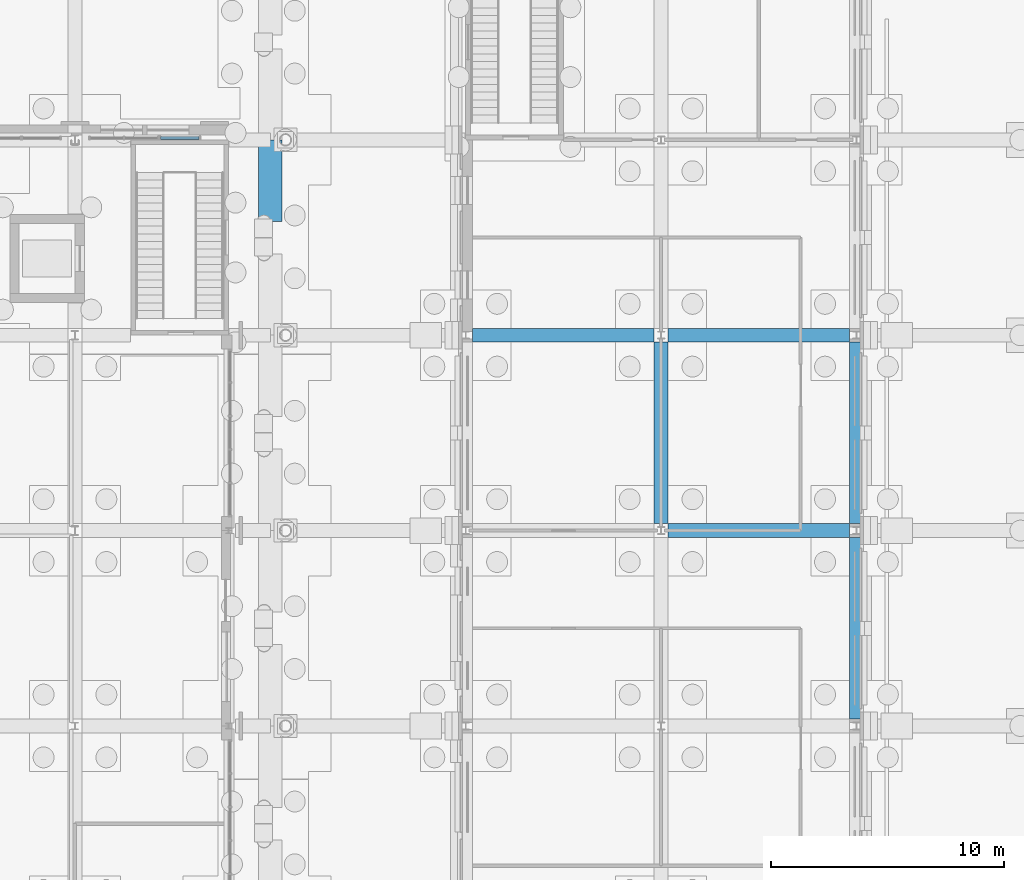
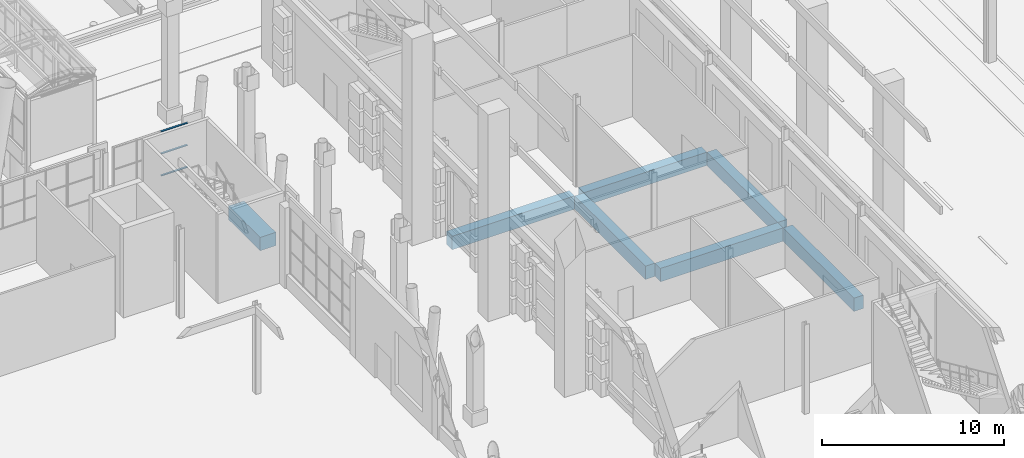
# One storey, part 58 of 222: 7 beams, 3 members, 1 element without a shape of its own.
"""IFC4 building model written with IfcOpenShell, lengths in metres."""

from ifc_helpers import new_model, si_unit, direction, frame, origin, origin_2d, place, context, subcontext, project, spatial, rectangle, extrude, material, material_profile, profile_set, type_object, element, aggregate, save


model = new_model("IFC4")

# Units and contexts
model_context = context("Model", 3, precision=1e-05, world=origin(), true_north=direction((0.0, 1.0)))
body_context = subcontext(model_context, "Body", "Model", "MODEL_VIEW")
ifc_project = project(units=[si_unit("LENGTHUNIT", "METRE"), si_unit("AREAUNIT", "SQUARE_METRE"), si_unit("VOLUMEUNIT", "CUBIC_METRE"), si_unit("PLANEANGLEUNIT", "RADIAN"), si_unit("MASSUNIT", "GRAM", prefix="KILO")], contexts=[model_context])

# Site, building, storey
site_placement = place(None, origin())
site = spatial("IfcSite", under=ifc_project, at=site_placement, CompositionType="ELEMENT")
building_placement = place(site_placement, origin())
building = spatial("IfcBuilding", under=site, at=building_placement, Name="Sava Quay Ferry Terminal", CompositionType="ELEMENT")
storey_placement = place(building_placement, origin())
storey = spatial("IfcBuildingStorey", under=building, at=storey_placement, Name="L00", CompositionType="ELEMENT", Elevation=0.0)

# Beams
ifc_material_1 = material(Name="Concrete C40/50", Category="concrete")
ifc_material_profile_1 = material_profile(ifc_material_1, rectangle(XDim=1.0, YDim=0.89990234375, at=origin_2d()), Name="RC 1000x900")
ifc_profile_set_1 = profile_set([ifc_material_profile_1], Name="Concrete C40/50")
beam_type_1 = type_object("IfcBeamType", Name="RC deck beam 1000x900", PredefinedType="BEAM", material=ifc_profile_set_1)
beam_1_placement = place(storey_placement, frame((84.0, 97.300048828125, -0.89990234375), z_axis=(0.0, 1.0, 0.0), x_axis=(-1.0, 0.0, 0.0)))
element("IfcBeam", 1, at=beam_1_placement, inside=storey, type_object=beam_type_1, Name="Deck beam Y84-92.4", PredefinedType="BEAM", context=body_context, shape_type="SweptSolid", body=[
    extrude(rectangle(XDim=1.0, YDim=0.89990234375, at=origin_2d()), origin(), (0.0, 0.0, 1.0), 3.5),
])
ifc_material_2 = material(Name="Concrete C40/50", Category="concrete")
ifc_material_profile_2 = material_profile(ifc_material_2, rectangle(XDim=0.60009765625, YDim=0.89990234375, at=origin_2d()), Name="RC 600x900")
ifc_profile_set_2 = profile_set([ifc_material_profile_2], Name="Concrete C40/50")
beam_type_2 = type_object("IfcBeamType", Name="RC deck beam 600x900", PredefinedType="BEAM", material=ifc_profile_set_2)
beam_2_placement = place(storey_placement, frame((101.10009765625, 84.0, -0.89990234375), z_axis=(1.0, 0.0, 0.0), x_axis=(0.0, 1.0, 0.0)))
element("IfcBeam", 2, at=beam_2_placement, inside=storey, type_object=beam_type_2, Name="Deck beam X84-100.8", PredefinedType="BEAM", context=body_context, shape_type="SweptSolid", body=[
    extrude(rectangle(XDim=0.60009765625, YDim=0.89990234375, at=origin_2d()), origin(), (0.0, 0.0, 1.0), 7.7998046875),
])
beam_3_placement = place(storey_placement, frame((92.699951171875, 92.39990234375, -0.89990234375), z_axis=(1.0, 0.0, 0.0), x_axis=(0.0, 1.0, 0.0)))
element("IfcBeam", 3, at=beam_3_placement, inside=storey, type_object=beam_type_2, Name="Deck beam X92.4-92.4", PredefinedType="BEAM", context=body_context, shape_type="SweptSolid", body=[
    extrude(rectangle(XDim=0.60009765625, YDim=0.89990234375, at=origin_2d()), origin(), (0.0, 0.0, 1.0), 7.800048828125),
])
beam_4_placement = place(storey_placement, frame((101.10009765625, 92.39990234375, -0.89990234375), z_axis=(1.0, 0.0, 0.0), x_axis=(0.0, 1.0, 0.0)))
element("IfcBeam", 4, at=beam_4_placement, inside=storey, type_object=beam_type_2, Name="Deck beam X92.4-100.8", PredefinedType="BEAM", context=body_context, shape_type="SweptSolid", body=[
    extrude(rectangle(XDim=0.60009765625, YDim=0.89990234375, at=origin_2d()), origin(), (0.0, 0.0, 1.0), 7.7998046875),
])
for number, where, z_axis, x_axis, name in (
    (5, (100.800048828125, 84.300048828125, -0.89990234375), (0.0, 1.0, 0.0), (-1.0, 0.0, 0.0), "Deck beam Y100.8-84"),
    (6, (109.199951171875, 75.89990234375, -0.89990234375), (0.0, 1.0, 0.0), (-1.0, 0.0, 0.0), "Deck beam Y109.2-75.6"),
    (7, (109.199951171875, 84.300048828125, -0.89990234375), (0.0, 1.0, 0.0), (-1.0, 0.0, 0.0), "Deck beam Y109.2-84"),
):
    element("IfcBeam", number, at=place(storey_placement, frame(where, z_axis=z_axis, x_axis=x_axis)), inside=storey, type_object=beam_type_2, Name=name, PredefinedType="BEAM", context=body_context, shape_type="SweptSolid", body=[
        extrude(rectangle(XDim=0.60009765625, YDim=0.89990234375, at=origin_2d()), origin(), (0.0, 0.0, 1.0), 7.800048828125),
    ])

# Curtain wall, members
ifc_material_3 = material(Name="Aluminium and glass curtain wall, double low-e glazed", Category="aluminium")
curtain_wall_type = type_object("IfcCurtainWallType", Name="Curtain wall CW-G gable", PredefinedType="NOTDEFINED", material=ifc_material_3)
curtain_wall_placement = place(storey_placement, origin())
curtain_wall = element("IfcCurtainWall", 8, at=curtain_wall_placement, inside=storey, type_object=curtain_wall_type, Name="Curtain wall D-N L00 bay 61", PredefinedType="NOTDEFINED")
ifc_material_4 = material(Name="Aluminium EN AW-6063 T6", Category="aluminium")
ifc_material_profile_3 = material_profile(ifc_material_4, rectangle(XDim=0.1201171875, YDim=0.050048828125, at=origin_2d()), Name="Transom 50x120 aluminium")
ifc_profile_set_3 = profile_set([ifc_material_profile_3], Name="Aluminium EN AW-6063 T6")
member_type = type_object("IfcMemberType", Name="Transom 50x120 aluminium", PredefinedType="USERDEFINED", material=ifc_profile_set_3)
member_1_placement = place(storey_placement, frame((79.280029296875, 100.885009765625, 3.02490234375), z_axis=(1.0, 0.0, 0.0), x_axis=(0.0, 1.0, 0.0)))
member_1 = element("IfcMember", 9, at=member_1_placement, type_object=member_type, Name="CW85 transom 1.1", ObjectType="TRANSOM", PredefinedType="USERDEFINED", context=body_context, shape_type="SweptSolid", body=[
    extrude(rectangle(XDim=0.1201171875, YDim=0.050048828125, at=origin_2d()), origin(), (0.0, 0.0, 1.0), 1.659912109375),
])
member_2_placement = place(storey_placement, frame((79.280029296875, 100.885009765625, 4.5), z_axis=(1.0, 0.0, 0.0), x_axis=(0.0, 1.0, 0.0)))
member_2 = element("IfcMember", 10, at=member_2_placement, type_object=member_type, Name="CW85 transom 1.2", ObjectType="TRANSOM", PredefinedType="USERDEFINED", context=body_context, shape_type="SweptSolid", body=[
    extrude(rectangle(XDim=0.1201171875, YDim=0.050048828125, at=origin_2d()), origin(), (0.0, 0.0, 1.0), 1.659912109375),
])
member_3_placement = place(storey_placement, frame((79.280029296875, 100.885009765625, 5.97509765625), z_axis=(1.0, 0.0, 0.0), x_axis=(0.0, 1.0, 0.0)))
member_3 = element("IfcMember", 11, at=member_3_placement, type_object=member_type, Name="CW85 transom 1.3", ObjectType="TRANSOM", PredefinedType="USERDEFINED", context=body_context, shape_type="SweptSolid", body=[
    extrude(rectangle(XDim=0.1201171875, YDim=0.050048828125, at=origin_2d()), origin(), (0.0, 0.0, 1.0), 1.659912109375),
])
aggregate(curtain_wall, [member_1, member_2, member_3])

save(model, "model.ifc")
